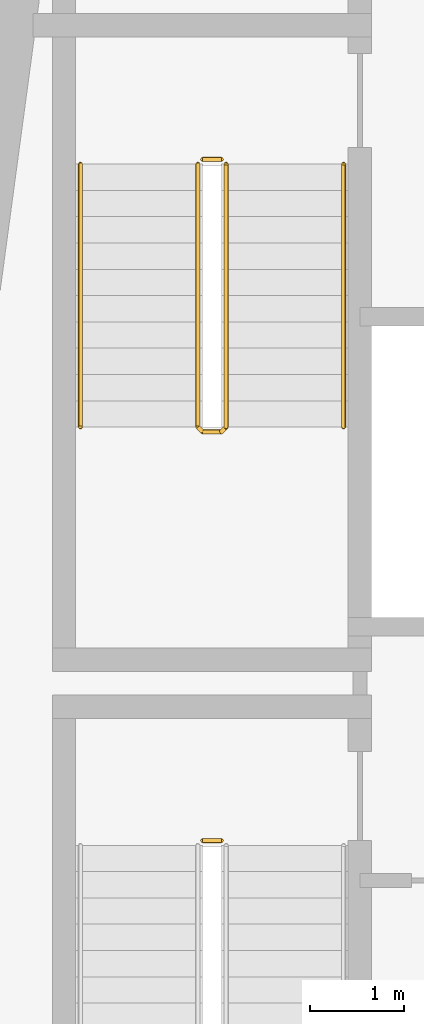
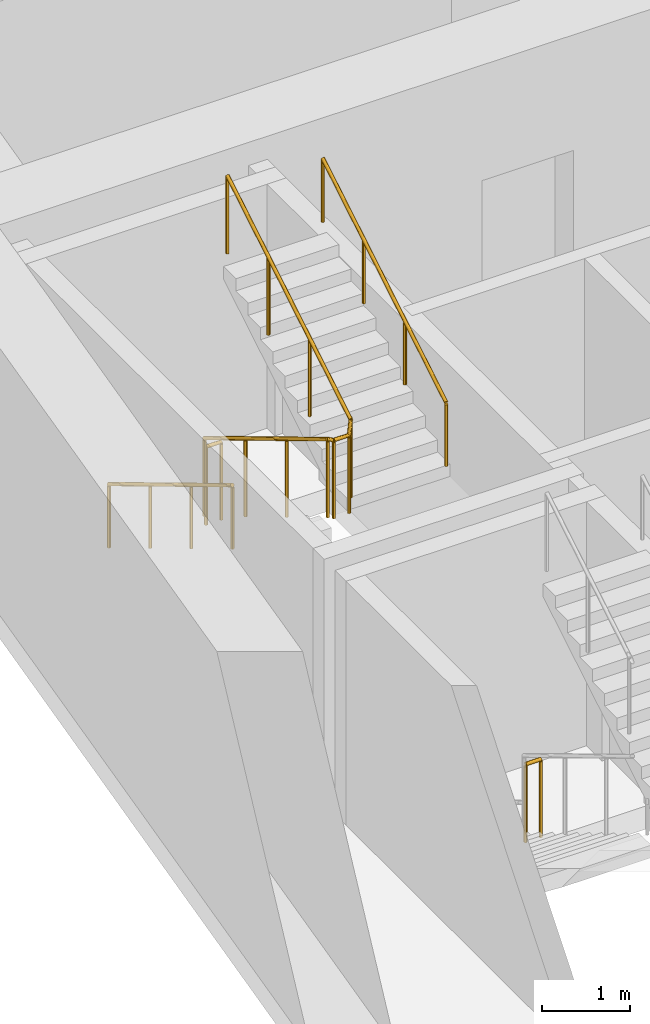
# One storey, part 11 of 14: 5 railings.
"""IFC4 building model written with IfcOpenShell, lengths in metres."""

import ifcopenshell
import ifcopenshell.guid

model = None  # the IFC model being written
_history = None  # IfcOwnerHistory: only IFC2X3 demands one
_inside = {}  # id of a spatial element -> (the spatial element, [elements in it])
_under = {}  # id of a project, library or spatial element -> (it, [spatial elements below it])
_declared = {}  # id of a project -> (the project, [libraries it declares])
_typed = {}  # id of a type object -> (the type object, [elements of that type])
_made_of = {}  # id of a material, layer set ... -> (it, [elements and type objects made of it])


def new_model(schema):
    """Start an empty IFC model of exactly this schema.

    Asked for "IFC4X3", IfcOpenShell would pick the latest addendum, in which some entities
    have other attributes; the version numbers below select the first issue.
    IFC2X3 requires an IfcOwnerHistory on every rooted entity: one is made here for all.
    """
    global model, _history
    if schema == "IFC4X3":
        model = ifcopenshell.file(schema_version=(4, 3, 0, 0))
    else:
        model = ifcopenshell.file(schema=schema)
    _inside.clear()
    _under.clear()
    _declared.clear()
    _typed.clear()
    _made_of.clear()
    _history = None
    if model.schema == "IFC2X3":
        org = make("IfcOrganization", Name="unknown")
        user = make(
            "IfcPersonAndOrganization",
            ThePerson=make("IfcPerson", FamilyName="unknown"),
            TheOrganization=org,
        )
        app = make(
            "IfcApplication",
            ApplicationDeveloper=org,
            Version="unknown",
            ApplicationFullName="unknown",
            ApplicationIdentifier="unknown",
        )
        _history = make(
            "IfcOwnerHistory",
            OwningUser=user,
            OwningApplication=app,
            ChangeAction="ADDED",
            CreationDate=0,
        )
    return model


def make(cls, **values):
    """One entity of the class cls with the attributes given. An attribute that is None is left unset."""
    return model.create_entity(
        cls, **{name: value for name, value in values.items() if value is not None}
    )


def rooted(cls, **values):
    """An entity with a GlobalId (a new one), such as an element, a storey or a relation."""
    return make(cls, GlobalId=ifcopenshell.guid.new(), OwnerHistory=_history, **values)


def si_unit(unit_type, name, prefix=None):
    """IfcSIUnit, for example si_unit("LENGTHUNIT", "METRE", prefix="MILLI")."""
    return make("IfcSIUnit", UnitType=unit_type, Prefix=prefix, Name=name)


def assignment(units):
    """IfcUnitAssignment: the units of a project."""
    return None if units is None else make("IfcUnitAssignment", Units=units)


def point(xyz):
    """IfcCartesianPoint."""
    return None if xyz is None else make("IfcCartesianPoint", Coordinates=xyz)


def direction(xyz):
    """IfcDirection."""
    return None if xyz is None else make("IfcDirection", DirectionRatios=xyz)


def frame(location, z_axis=None, x_axis=None):
    """IfcAxis2Placement3D, a coordinate frame: its origin and axes. An axis left out is left unset."""
    return make(
        "IfcAxis2Placement3D",
        Location=point(location),
        Axis=direction(z_axis),
        RefDirection=direction(x_axis),
    )


def frame_2d(location, x_axis=None):
    """IfcAxis2Placement2D, a coordinate frame in the plane: its origin and x axis."""
    return make(
        "IfcAxis2Placement2D", Location=point(location), RefDirection=direction(x_axis)
    )


def origin():
    """The frame at (0, 0, 0) with its axes left unset."""
    return frame((0.0, 0.0, 0.0))


def origin_2d():
    """The frame at (0, 0) in the plane with its x axis left unset."""
    return frame_2d((0.0, 0.0))


def place(relative_to, where):
    """IfcLocalPlacement: puts the frame where relative to a parent placement (None: the world)."""
    return make(
        "IfcLocalPlacement", PlacementRelTo=relative_to, RelativePlacement=where
    )


def context(
    kind, dimensions, precision=None, world=None, true_north=None, identifier=None
):
    """IfcGeometricRepresentationContext, for example the 3D "Model" context."""
    return make(
        "IfcGeometricRepresentationContext",
        ContextIdentifier=identifier,
        ContextType=kind,
        CoordinateSpaceDimension=dimensions,
        Precision=precision,
        WorldCoordinateSystem=world,
        TrueNorth=true_north,
    )


def subcontext(parent, identifier, kind, view, scale=None):
    """IfcGeometricRepresentationSubContext, for example "Body" below "Model"."""
    return make(
        "IfcGeometricRepresentationSubContext",
        ContextIdentifier=identifier,
        ContextType=kind,
        ParentContext=parent,
        TargetScale=scale,
        TargetView=view,
    )


def project(units=None, contexts=None):
    """IfcProject with its units and contexts."""
    return rooted(
        "IfcProject",
        Name="project",
        RepresentationContexts=contexts,
        UnitsInContext=assignment(units),
    )


def spatial(cls, under=None, at=None, **own):
    """A site, building, storey or space (cls), placed at a placement, below another one or the project."""
    s = rooted(cls, ObjectPlacement=at, **own)
    if under is not None:
        _under.setdefault(under.id(), (under, []))[1].append(s)
    return s


def profile(cls, at=None, kind="AREA", **sizes):
    """A parametric profile (cls). Its sizes go by their IFC names, for example OverallWidth=200.0."""
    return make(cls, ProfileType=kind, Position=at, **sizes)


def circle(**sizes):
    """IfcCircleProfileDef."""
    return profile("IfcCircleProfileDef", **sizes)


def extrude(swept, where, along, depth):
    """IfcExtrudedAreaSolid: the profile swept, set in the frame where, extruded along a direction by depth."""
    return make(
        "IfcExtrudedAreaSolid",
        SweptArea=swept,
        Position=where,
        ExtrudedDirection=direction(along),
        Depth=depth,
    )


def shape(context_of_items, identifier, shape_type, items):
    """IfcShapeRepresentation: the items that make up one representation, for example the "Body"."""
    return make(
        "IfcShapeRepresentation",
        ContextOfItems=context_of_items,
        RepresentationIdentifier=identifier,
        RepresentationType=shape_type,
        Items=items,
    )


def material(Name=None, Category=None):
    """IfcMaterial."""
    return make("IfcMaterial", Name=Name, Category=Category)


def made_of(thing, what):
    """Note that an element or type object is made of a material, layer set ...; save() writes the relation."""
    if what is not None:
        _made_of.setdefault(what.id(), (what, []))[1].append(thing)
    return thing


def type_object(cls, material=None, **own):
    """A type object (cls), such as IfcWallType, which elements share."""
    return made_of(rooted(cls, **own), material)


def element(
    cls,
    number,
    at=None,
    inside=None,
    cuts=None,
    type_object=None,
    material=None,
    context=None,
    identifier="Body",
    shape_type=None,
    held_by="IfcProductDefinitionShape",
    body=None,
    shapes=None,
    **own,
):
    """One element of the class cls, such as IfcWall. Its Tag is "e" and its number.

    at: its placement. inside: the storey or other place that contains it. cuts: it is an
    opening in that element (IfcRelVoidsElement). A single representation is given by context,
    identifier, shape_type and body (its items); several are given by shapes. held_by: the class
    of the entity that holds the representations. save() writes the other relations.
    """
    e = rooted(cls, Tag="e%d" % number, ObjectPlacement=at, **own)
    if body is not None:
        shapes = [shape(context, identifier, shape_type, body)]
    if shapes is not None:
        e.Representation = make(held_by, Representations=shapes)
    if inside is not None:
        _inside.setdefault(inside.id(), (inside, []))[1].append(e)
    if cuts is not None:
        rooted(
            "IfcRelVoidsElement", RelatingBuildingElement=cuts, RelatedOpeningElement=e
        )
    if type_object is not None:
        _typed.setdefault(type_object.id(), (type_object, []))[1].append(e)
    return made_of(e, material)


def aggregate(whole, parts):
    """IfcRelAggregates: a whole, such as a stair, and the parts it consists of."""
    return rooted("IfcRelAggregates", RelatingObject=whole, RelatedObjects=parts)


def save(model, path):
    """Write the relations noted so far, then the file.

    IfcRelAggregates (storeys below a building ...), IfcRelContainedInSpatialStructure (elements
    in a storey), IfcRelDefinesByType, IfcRelAssociatesMaterial and IfcRelDeclares: one each for
    every whole, place, type object, material and project.
    """
    for whole, parts in _under.values():
        aggregate(whole, parts)
    for where, things in _inside.values():
        rooted(
            "IfcRelContainedInSpatialStructure",
            RelatedElements=things,
            RelatingStructure=where,
        )
    for kind, things in _typed.values():
        rooted("IfcRelDefinesByType", RelatedObjects=things, RelatingType=kind)
    for what, things in _made_of.values():
        rooted("IfcRelAssociatesMaterial", RelatedObjects=things, RelatingMaterial=what)
    for by, libraries in _declared.values():
        rooted("IfcRelDeclares", RelatingContext=by, RelatedDefinitions=libraries)
    model.write(path)


model = new_model("IFC4")

# Units and contexts
model_context = context("Model", 3, precision=1e-05, world=origin(), true_north=direction((0.0, 1.0)))
body_context = subcontext(model_context, "Body", "Model", "MODEL_VIEW")
ifc_project = project(units=[si_unit("LENGTHUNIT", "METRE"), si_unit("AREAUNIT", "SQUARE_METRE"), si_unit("VOLUMEUNIT", "CUBIC_METRE"), si_unit("PLANEANGLEUNIT", "RADIAN"), si_unit("MASSUNIT", "GRAM", prefix="KILO")], contexts=[model_context])

# Site, building, storey
site_placement = place(None, origin())
site = spatial("IfcSite", under=ifc_project, at=site_placement, CompositionType="ELEMENT")
building_placement = place(site_placement, origin())
building = spatial("IfcBuilding", under=site, at=building_placement, Name="Candeia Pilgrim Tower and Theatre", CompositionType="ELEMENT")
storey_placement = place(building_placement, frame((0.0, 0.0, 173.699951171875)))
storey = spatial("IfcBuildingStorey", under=building, at=storey_placement, Name="L41", CompositionType="ELEMENT", Elevation=173.699951171875)

# Railings
ifc_material_1 = material(Name="Stainless steel balustrade", Category="steel")
railing_type_1 = type_object("IfcRailingType", Name="RL-GUARD-1100", PredefinedType="GUARDRAIL", material=ifc_material_1)
railing_1_placement = place(storey_placement, frame((91.152099609375, 122.52490234375, 0.0)))
element("IfcRailing", 1, at=railing_1_placement, inside=storey, type_object=railing_type_1, Name="L41 ST1 stair guard 2", PredefinedType="GUARDRAIL", context=body_context, shape_type="SweptSolid", body=[
    extrude(circle(Radius=0.02392578125, at=origin_2d()), frame((0.0, 0.0, 1.076171875), z_axis=(1.0, 0.0, 0.0), x_axis=(0.0, 1.0, 0.0)), (0.0, 0.0, 1.0), 0.199951171875),
    extrude(circle(Radius=0.02099609375, at=origin_2d()), origin(), (0.0, 0.0, 1.0), 1.052001953125),
    extrude(circle(Radius=0.02099609375, at=origin_2d()), frame((0.199951171875, 0.0, 0.0)), (0.0, 0.0, 1.0), 1.052001953125),
])
railing_2_placement = place(storey_placement, frame((91.10205078125, 129.72509765625, 0.168212890625)))
element("IfcRailing", 2, at=railing_2_placement, inside=storey, type_object=railing_type_1, Name="L41 ST2 stair guard 1", PredefinedType="GUARDRAIL", context=body_context, shape_type="SweptSolid", body=[
    extrude(circle(Radius=0.02392578125, at=origin_2d()), frame((0.0, 0.0, 1.076171875), z_axis=(0.0, -0.857242210791, 0.514913383045), x_axis=(1.0, 0.0, 0.0)), (0.0, 0.0, 1.0), 3.266357421875),
    extrude(circle(Radius=0.02392578125, at=origin_2d()), frame((0.0, -2.800048828125, 2.7578125), z_axis=(0.707106781187, -0.707106781187, 0.0), x_axis=(0.707106781187, 0.707106781187, 0.0)), (0.0, 0.0, 1.0), 0.07080078125),
    extrude(circle(Radius=0.02392578125, at=origin_2d()), frame((0.050048828125, -2.85009765625, 2.7578125), z_axis=(1.0, 0.0, 0.0), x_axis=(0.0, 1.0, 0.0)), (0.0, 0.0, 1.0), 0.199951171875),
    extrude(circle(Radius=0.02392578125, at=origin_2d()), frame((0.25, -2.85009765625, 2.7578125), z_axis=(0.274243871929, 0.274243871929, 0.92172696468), x_axis=(-0.707106781187, 0.707106781187, 0.0)), (0.0, 0.0, 1.0), 0.1826171875),
    extrude(circle(Radius=0.02392578125, at=origin_2d()), frame((0.300048828125, -2.800048828125, 2.92626953125), z_axis=(0.0, 0.857275202839, 0.514858452973), x_axis=(-1.0, 0.0, 0.0)), (0.0, 0.0, 1.0), 3.26611328125),
    extrude(circle(Radius=0.02099609375, at=origin_2d()), origin(), (0.0, 0.0, 1.0), 1.052001953125),
    extrude(circle(Radius=0.02099609375, at=origin_2d()), frame((0.0, -0.933349609375, 0.560546875)), (0.0, 0.0, 1.0), 1.052001953125),
    extrude(circle(Radius=0.02099609375, at=origin_2d()), frame((0.0, -1.86669921875, 1.121337890625)), (0.0, 0.0, 1.0), 1.052001953125),
    extrude(circle(Radius=0.02099609375, at=origin_2d()), frame((0.0, -2.800048828125, 1.681884765625)), (0.0, 0.0, 1.0), 1.052001953125),
    extrude(circle(Radius=0.02099609375, at=origin_2d()), frame((0.050048828125, -2.85009765625, 1.681884765625)), (0.0, 0.0, 1.0), 1.052001953125),
    extrude(circle(Radius=0.02099609375, at=origin_2d()), frame((0.25, -2.85009765625, 1.681884765625)), (0.0, 0.0, 1.0), 1.052001953125),
    extrude(circle(Radius=0.02099609375, at=origin_2d()), frame((0.300048828125, -2.800048828125, 1.85009765625)), (0.0, 0.0, 1.0), 1.052001953125),
    extrude(circle(Radius=0.02099609375, at=origin_2d()), frame((0.300048828125, -1.86669921875, 2.41064453125)), (0.0, 0.0, 1.0), 1.052001953125),
    extrude(circle(Radius=0.02099609375, at=origin_2d()), frame((0.300048828125, -0.933349609375, 2.97119140625)), (0.0, 0.0, 1.0), 1.052001953125),
    extrude(circle(Radius=0.02099609375, at=origin_2d()), frame((0.300048828125, 0.0, 3.53173828125)), (0.0, 0.0, 1.0), 1.052001953125),
])
railing_3_placement = place(storey_placement, frame((91.152099609375, 129.77490234375, 0.0)))
element("IfcRailing", 3, at=railing_3_placement, inside=storey, type_object=railing_type_1, Name="L41 ST2 stair guard 2", PredefinedType="GUARDRAIL", context=body_context, shape_type="SweptSolid", body=[
    extrude(circle(Radius=0.02392578125, at=origin_2d()), frame((0.0, 0.0, 1.076171875), z_axis=(1.0, 0.0, 0.0), x_axis=(0.0, 1.0, 0.0)), (0.0, 0.0, 1.0), 0.199951171875),
    extrude(circle(Radius=0.02099609375, at=origin_2d()), origin(), (0.0, 0.0, 1.0), 1.052001953125),
    extrude(circle(Radius=0.02099609375, at=origin_2d()), frame((0.199951171875, 0.0, 0.0)), (0.0, 0.0, 1.0), 1.052001953125),
])
ifc_material_2 = material(Name="Stainless steel handrail", Category="steel")
railing_type_2 = type_object("IfcRailingType", Name="RL-HANDRAIL-900", PredefinedType="HANDRAIL", material=ifc_material_2)
railing_4_placement = place(storey_placement, frame((89.85205078125, 129.72509765625, 0.168212890625)))
element("IfcRailing", 4, at=railing_4_placement, inside=storey, type_object=railing_type_2, Name="L41 ST2 stair handrail 1", PredefinedType="HANDRAIL", context=body_context, shape_type="SweptSolid", body=[
    extrude(circle(Radius=0.02392578125, at=origin_2d()), frame((0.0, 0.0, 0.8759765625), z_axis=(0.0, -0.857242210791, 0.514913383045), x_axis=(1.0, 0.0, 0.0)), (0.0, 0.0, 1.0), 3.266357421875),
    extrude(circle(Radius=0.02099609375, at=origin_2d()), origin(), (0.0, 0.0, 1.0), 0.851806640625),
    extrude(circle(Radius=0.02099609375, at=origin_2d()), frame((0.0, -0.933349609375, 0.560546875)), (0.0, 0.0, 1.0), 0.851806640625),
    extrude(circle(Radius=0.02099609375, at=origin_2d()), frame((0.0, -1.86669921875, 1.121337890625)), (0.0, 0.0, 1.0), 0.851806640625),
    extrude(circle(Radius=0.02099609375, at=origin_2d()), frame((0.0, -2.800048828125, 1.681884765625)), (0.0, 0.0, 1.0), 0.851806640625),
])
railing_5_placement = place(storey_placement, frame((92.652099609375, 126.925048828125, 2.018310546875)))
element("IfcRailing", 5, at=railing_5_placement, inside=storey, type_object=railing_type_2, Name="L41 ST2 stair handrail 2", PredefinedType="HANDRAIL", context=body_context, shape_type="SweptSolid", body=[
    extrude(circle(Radius=0.02392578125, at=origin_2d()), frame((0.0, 0.0, 0.8759765625), z_axis=(0.0, 0.857275202839, 0.514858452973), x_axis=(-1.0, 0.0, 0.0)), (0.0, 0.0, 1.0), 3.26611328125),
    extrude(circle(Radius=0.02099609375, at=origin_2d()), origin(), (0.0, 0.0, 1.0), 0.851806640625),
    extrude(circle(Radius=0.02099609375, at=origin_2d()), frame((0.0, 0.933349609375, 0.560546875)), (0.0, 0.0, 1.0), 0.851806640625),
    extrude(circle(Radius=0.02099609375, at=origin_2d()), frame((0.0, 1.86669921875, 1.12109375)), (0.0, 0.0, 1.0), 0.851806640625),
    extrude(circle(Radius=0.02099609375, at=origin_2d()), frame((0.0, 2.800048828125, 1.681640625)), (0.0, 0.0, 1.0), 0.851806640625),
])

save(model, "model.ifc")
